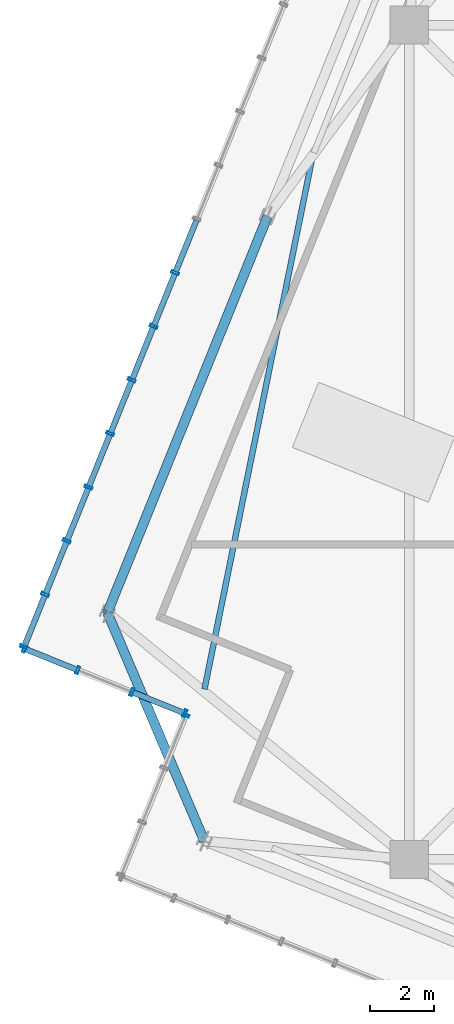
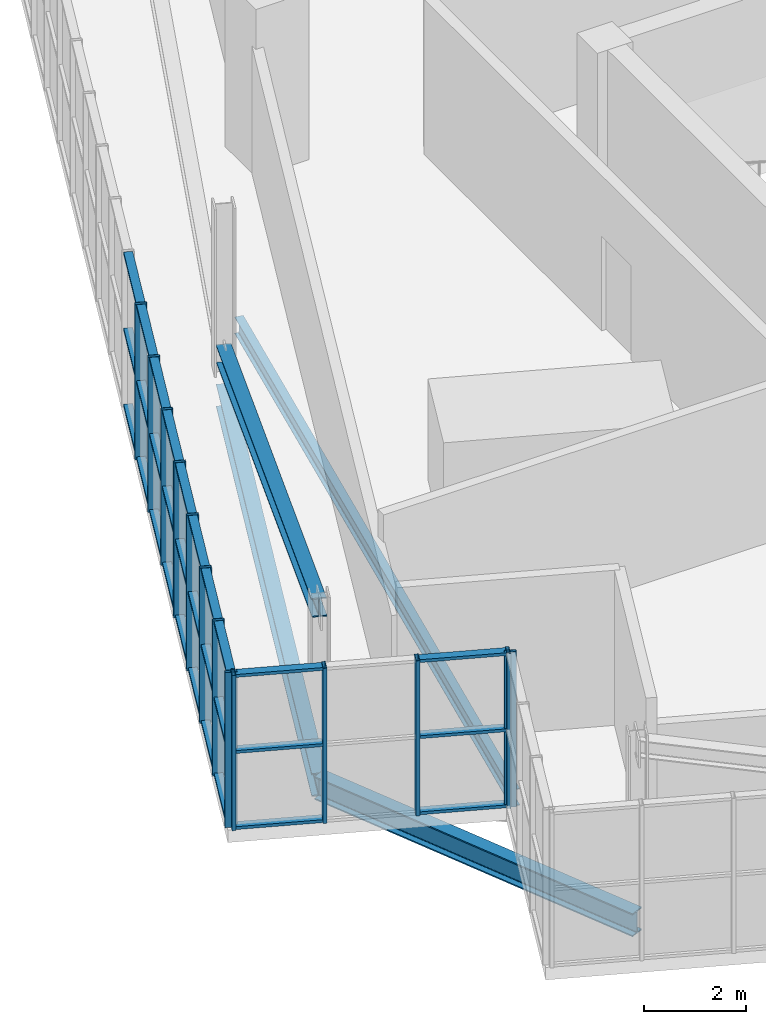
# One storey, part 6 of 26: 44 members, 3 beams, 3 elements without a shape of their own.
"""IFC4 building model written with IfcOpenShell, lengths in metres."""

from ifc_helpers import new_model, si_unit, direction, frame, origin, origin_2d, place, context, subcontext, project, spatial, hollow_rectangle, i_section, extrude, source, transform, mapped, material, layer, layer_set, material_profile, profile_set, type_object, element, aggregate, save


model = new_model("IFC4")

# Units and contexts
model_context = context("Model", 3, precision=1e-05, world=origin(), true_north=direction((0.0, 1.0)))
body_context = subcontext(model_context, "Body", "Model", "MODEL_VIEW")
ifc_project = project(units=[si_unit("LENGTHUNIT", "METRE"), si_unit("AREAUNIT", "SQUARE_METRE"), si_unit("VOLUMEUNIT", "CUBIC_METRE"), si_unit("PLANEANGLEUNIT", "RADIAN"), si_unit("MASSUNIT", "GRAM", prefix="KILO"), si_unit("THERMODYNAMICTEMPERATUREUNIT", "KELVIN")], contexts=[model_context])

# Site, building, storey
site_placement = place(None, origin())
site = spatial("IfcSite", under=ifc_project, at=site_placement, CompositionType="ELEMENT")
building_placement = place(site_placement, origin())
building = spatial("IfcBuilding", under=site, at=building_placement, Name="Kosmvard Interchange Tower", CompositionType="ELEMENT")
storey_placement = place(building_placement, frame((0.0, 0.0, 333.60009765625)))
storey = spatial("IfcBuildingStorey", under=building, at=storey_placement, Name="L82", CompositionType="ELEMENT", Elevation=333.60009765625)

# Member
ifc_material_1 = material(Name="Steel S355", Category="steel")
ifc_material_profile_1 = material_profile(ifc_material_1, i_section(OverallWidth=0.300048828125, OverallDepth=0.39990234375, WebThickness=0.013427734375, FlangeThickness=0.02392578125, FilletRadius=0.027099609375, at=origin_2d()), Name="HEB 400")
ifc_profile_set_1 = profile_set([ifc_material_profile_1], Name="Steel S355")
member_type_1 = type_object("IfcMemberType", Name="Lantern Crown Diagrid Brace HEB 400 S355", PredefinedType="BRACE", material=ifc_profile_set_1)
shared_shape_1 = source(origin(), body_context, "Body", "SweptSolid", [
    extrude(i_section(OverallWidth=0.300048828125, OverallDepth=0.39990234375, WebThickness=0.013427734375, FlangeThickness=0.02392578125, FilletRadius=0.027099609375, at=origin_2d()), origin(), (0.0, 0.0, 1.0), 13.783935546875),
])
member_1_placement = place(storey_placement, frame((-17.523681640625, 7.080078125, 0.419921875), z_axis=(-0.364177999122, -0.901367558742, 0.234330768366), x_axis=(0.927183187789, -0.374608243744, 0.0)))
element("IfcMember", 1, at=member_1_placement, inside=storey, type_object=member_type_1, Name="L82 Crown Lantern Diagrid Brace N2", PredefinedType="BRACE", context=body_context, shape_type="MappedRepresentation", body=[
    mapped(shared_shape_1, transform((0.0, 0.0, 0.0), scale=1.0)),
])

# Beams
ifc_material_profile_2 = material_profile(ifc_material_1, i_section(OverallWidth=0.300048828125, OverallDepth=0.550048828125, WebThickness=0.014892578125, FlangeThickness=0.029052734375, FilletRadius=0.027099609375, at=origin_2d()), Name="HEB 550")
ifc_profile_set_2 = profile_set([ifc_material_profile_2], Name="Steel S355")
beam_type_1 = type_object("IfcBeamType", Name="Crown Ring Cap Girder HEB 550 S355", PredefinedType="BEAM", material=ifc_profile_set_2)
shared_shape_2 = source(origin(), body_context, "Body", "SweptSolid", [
    extrude(i_section(OverallWidth=0.300048828125, OverallDepth=0.550048828125, WebThickness=0.014892578125, FlangeThickness=0.029052734375, FilletRadius=0.027099609375, at=origin_2d()), origin(), (0.0, 0.0, 1.0), 13.400146484375),
])
beam_1_placement = place(storey_placement, frame((-17.523681640625, 7.080078125, -0.5751953125), z_axis=(-0.374608243744, -0.927183187789, 0.0), x_axis=(0.927183187789, -0.374608243744, 0.0)))
element("IfcBeam", 2, at=beam_1_placement, inside=storey, type_object=beam_type_1, Name="BM-L82-PR08", PredefinedType="BEAM", context=body_context, shape_type="MappedRepresentation", body=[
    mapped(shared_shape_2, transform((0.0, 0.0, 0.0), scale=1.0)),
])
shared_shape_3 = source(origin(), body_context, "Body", "SweptSolid", [
    extrude(i_section(OverallWidth=0.300048828125, OverallDepth=0.550048828125, WebThickness=0.014892578125, FlangeThickness=0.029052734375, FilletRadius=0.027099609375, at=origin_2d()), origin(), (0.0, 0.0, 1.0), 7.778076171875),
])
beam_2_placement = place(storey_placement, frame((-22.54345703125, -5.34423828125, -0.5751953125), z_axis=(0.39071589075, -0.92051132134, 0.0), x_axis=(0.92051132134, 0.39071589075, 0.0)))
element("IfcBeam", 3, at=beam_2_placement, inside=storey, type_object=beam_type_1, Name="BM-L82-PR09", PredefinedType="BEAM", context=body_context, shape_type="MappedRepresentation", body=[
    mapped(shared_shape_3, transform((0.0, 0.0, 0.0), scale=1.0)),
])
ifc_material_profile_3 = material_profile(ifc_material_1, i_section(OverallWidth=0.179931640625, OverallDepth=0.39990234375, WebThickness=0.008544921875, FlangeThickness=0.013427734375, FilletRadius=0.02099609375, at=origin_2d()), Name="IPE 400")
ifc_profile_set_3 = profile_set([ifc_material_profile_3], Name="Steel S355")
beam_type_2 = type_object("IfcBeamType", Name="Upper-Zone Floor Joist IPE 400 S355", PredefinedType="JOIST", material=ifc_profile_set_3)
shared_shape_4 = source(origin(), body_context, "Body", "SweptSolid", [
    extrude(i_section(OverallWidth=0.179931640625, OverallDepth=0.39990234375, WebThickness=0.008544921875, FlangeThickness=0.013427734375, FilletRadius=0.02099609375, at=origin_2d()), origin(), (0.0, 0.0, 1.0), 17.0029296875),
])
beam_3_placement = place(storey_placement, frame((-16.117919921875, 8.921875, -0.5), z_axis=(-0.198882162837, -0.98002341059, 0.0), x_axis=(0.98002341059, -0.198882162837, 0.0)))
element("IfcBeam", 4, at=beam_3_placement, inside=storey, type_object=beam_type_2, Name="BM-L82-FJ06", PredefinedType="JOIST", context=body_context, shape_type="MappedRepresentation", body=[
    mapped(shared_shape_4, transform((0.0, 0.0, 0.0), scale=1.0)),
])

# Curtain wall, members
ifc_material_2 = material(Name="Architectural anodised aluminium", Category="aluminium")
ifc_layer = layer(ifc_material_2, 0.25, Name="Architectural anodised aluminium")
ifc_layer_set = layer_set([ifc_layer], Name="Architectural anodised aluminium")
curtain_wall_type = type_object("IfcCurtainWallType", Name="CW-6 Illuminated Crown Lantern Curtain Wall", PredefinedType="NOTDEFINED", material=ifc_layer_set)
curtain_wall_1_placement = place(storey_placement, origin())
curtain_wall_1 = element("IfcCurtainWall", 5, at=curtain_wall_1_placement, inside=storey, type_object=curtain_wall_type, Name="L82 Crown Lantern Glazing Face 07", PredefinedType="NOTDEFINED")
ifc_material_profile_4 = material_profile(ifc_material_2, hollow_rectangle(XDim=0.239990234375, YDim=0.080078125, WallThickness=0.006103515625, at=origin_2d()), Name="CWM 240x80x6")
ifc_profile_set_4 = profile_set([ifc_material_profile_4], Name="Architectural anodised aluminium")
member_type_2 = type_object("IfcMemberType", Name="Lantern & Observation CW Mullion 240x80 Aluminium", PredefinedType="MULLION", material=ifc_profile_set_4)
shared_shape_5 = source(origin(), body_context, "Body", "SweptSolid", [
    extrude(hollow_rectangle(XDim=0.239990234375, YDim=0.080078125, WallThickness=0.006103515625, at=origin_2d()), origin(), (0.0, 0.0, 1.0), 3.699951171875),
])
member_2_placement = place(storey_placement, frame((-20.416015625, 5.313720703125, 0.0), z_axis=(0.0, 0.0, 1.0), x_axis=(0.927183858065, -0.374606584758, 0.0)))
member_2 = element("IfcMember", 6, at=member_2_placement, type_object=member_type_2, Name="CW-6 mullion 11", PredefinedType="MULLION", context=body_context, shape_type="MappedRepresentation", body=[
    mapped(shared_shape_5, transform((0.0, 0.0, 0.0), scale=1.0)),
])
member_3_placement = place(storey_placement, frame((-21.095703125, 3.6318359375, 0.0), z_axis=(0.0, 0.0, 1.0), x_axis=(0.927183858065, -0.374606584758, 0.0)))
member_3 = element("IfcMember", 7, at=member_3_placement, type_object=member_type_2, Name="CW-6 mullion 12", PredefinedType="MULLION", context=body_context, shape_type="MappedRepresentation", body=[
    mapped(shared_shape_5, transform((0.0, 0.0, 0.0), scale=1.0)),
])
member_4_placement = place(storey_placement, frame((-21.775146484375, 1.94970703125, 0.0), z_axis=(0.0, 0.0, 1.0), x_axis=(0.927183858065, -0.374606584758, 0.0)))
member_4 = element("IfcMember", 8, at=member_4_placement, type_object=member_type_2, Name="CW-6 mullion 13", PredefinedType="MULLION", context=body_context, shape_type="MappedRepresentation", body=[
    mapped(shared_shape_5, transform((0.0, 0.0, 0.0), scale=1.0)),
])
member_5_placement = place(storey_placement, frame((-22.454833984375, 0.267578125, 0.0), z_axis=(0.0, 0.0, 1.0), x_axis=(0.927183858065, -0.374606584758, 0.0)))
member_5 = element("IfcMember", 9, at=member_5_placement, type_object=member_type_2, Name="CW-6 mullion 14", PredefinedType="MULLION", context=body_context, shape_type="MappedRepresentation", body=[
    mapped(shared_shape_5, transform((0.0, 0.0, 0.0), scale=1.0)),
])
member_6_placement = place(storey_placement, frame((-23.13427734375, -1.414306640625, 0.0), z_axis=(0.0, 0.0, 1.0), x_axis=(0.927183858065, -0.374606584758, 0.0)))
member_6 = element("IfcMember", 10, at=member_6_placement, type_object=member_type_2, Name="CW-6 mullion 15", PredefinedType="MULLION", context=body_context, shape_type="MappedRepresentation", body=[
    mapped(shared_shape_5, transform((0.0, 0.0, 0.0), scale=1.0)),
])
member_7_placement = place(storey_placement, frame((-23.81396484375, -3.096435546875, 0.0), z_axis=(0.0, 0.0, 1.0), x_axis=(0.927183858065, -0.374606584758, 0.0)))
member_7 = element("IfcMember", 11, at=member_7_placement, type_object=member_type_2, Name="CW-6 mullion 16", PredefinedType="MULLION", context=body_context, shape_type="MappedRepresentation", body=[
    mapped(shared_shape_5, transform((0.0, 0.0, 0.0), scale=1.0)),
])
member_8_placement = place(storey_placement, frame((-24.49365234375, -4.7783203125, 0.0), z_axis=(0.0, 0.0, 1.0), x_axis=(0.927183858065, -0.374606584758, 0.0)))
member_8 = element("IfcMember", 12, at=member_8_placement, type_object=member_type_2, Name="CW-6 mullion 17", PredefinedType="MULLION", context=body_context, shape_type="MappedRepresentation", body=[
    mapped(shared_shape_5, transform((0.0, 0.0, 0.0), scale=1.0)),
])
member_9_placement = place(storey_placement, frame((-25.158203125, -6.42333984375, 0.0), z_axis=(0.0, 0.0, 1.0), x_axis=(0.927183858065, -0.374606584758, 0.0)))
member_9 = element("IfcMember", 13, at=member_9_placement, type_object=member_type_2, Name="CW-6 mullion 18", PredefinedType="MULLION", context=body_context, shape_type="MappedRepresentation", body=[
    mapped(shared_shape_5, transform((0.0, 0.0, 0.0), scale=1.0)),
])

curtain_wall_2_placement = place(storey_placement, origin())
curtain_wall_2 = element("IfcCurtainWall", 14, at=curtain_wall_2_placement, inside=storey, type_object=curtain_wall_type, Name="L82 Crown Lantern Glazing Face 08", PredefinedType="NOTDEFINED")
member_10_placement = place(storey_placement, frame((-25.135986328125, -6.475341796875, 0.0), z_axis=(0.0, 0.0, 1.0), x_axis=(0.374606564822, 0.92718386612, 0.0)))
member_10 = element("IfcMember", 15, at=member_10_placement, type_object=member_type_2, Name="CW-6 mullion 1", PredefinedType="MULLION", context=body_context, shape_type="MappedRepresentation", body=[
    mapped(shared_shape_5, transform((0.0, 0.0, 0.0), scale=1.0)),
])
member_11_placement = place(storey_placement, frame((-23.473388671875, -7.147216796875, 0.0), z_axis=(0.0, 0.0, 1.0), x_axis=(0.374606564822, 0.92718386612, 0.0)))
member_11 = element("IfcMember", 16, at=member_11_placement, type_object=member_type_2, Name="CW-6 mullion 2", PredefinedType="MULLION", context=body_context, shape_type="MappedRepresentation", body=[
    mapped(shared_shape_5, transform((0.0, 0.0, 0.0), scale=1.0)),
])
member_12_placement = place(storey_placement, frame((-21.7734375, -7.833984375, 0.0), z_axis=(0.0, 0.0, 1.0), x_axis=(0.374606564822, 0.92718386612, 0.0)))
member_12 = element("IfcMember", 17, at=member_12_placement, type_object=member_type_2, Name="CW-6 mullion 3", PredefinedType="MULLION", context=body_context, shape_type="MappedRepresentation", body=[
    mapped(shared_shape_5, transform((0.0, 0.0, 0.0), scale=1.0)),
])
member_13_placement = place(storey_placement, frame((-20.110595703125, -8.505859375, 0.0), z_axis=(0.0, 0.0, 1.0), x_axis=(0.374606564822, 0.92718386612, 0.0)))
member_13 = element("IfcMember", 18, at=member_13_placement, type_object=member_type_2, Name="CW-6 mullion 4", PredefinedType="MULLION", context=body_context, shape_type="MappedRepresentation", body=[
    mapped(shared_shape_5, transform((0.0, 0.0, 0.0), scale=1.0)),
])

# Curtain wall, member
curtain_wall_3_placement = place(storey_placement, origin())
curtain_wall_3 = element("IfcCurtainWall", 19, at=curtain_wall_3_placement, inside=storey, type_object=curtain_wall_type, Name="L82 Crown Lantern Glazing Face 09", PredefinedType="NOTDEFINED")
member_14_placement = place(storey_placement, frame((-20.088623046875, -8.557861328125, 0.0), z_axis=(0.0, 0.0, 1.0), x_axis=(0.927183891631, -0.374606501678, 0.0)))
member_14 = element("IfcMember", 20, at=member_14_placement, type_object=member_type_2, Name="CW-6 mullion 1", PredefinedType="MULLION", context=body_context, shape_type="MappedRepresentation", body=[
    mapped(shared_shape_5, transform((0.0, 0.0, 0.0), scale=1.0)),
])
aggregate(curtain_wall_3, [member_14])

# Member
ifc_material_profile_5 = material_profile(ifc_material_2, hollow_rectangle(XDim=0.179931640625, YDim=0.070068359375, WallThickness=0.0048828125, at=origin_2d()), Name="CWT 180x70x5")
ifc_profile_set_5 = profile_set([ifc_material_profile_5], Name="Architectural anodised aluminium")
member_type_3 = type_object("IfcMemberType", Name="Heavy Lantern CW Transom 180x70 Aluminium", PredefinedType="USERDEFINED", material=ifc_profile_set_5)
shared_shape_6 = source(origin(), body_context, "Body", "SweptSolid", [
    extrude(hollow_rectangle(XDim=0.179931640625, YDim=0.070068359375, WallThickness=0.0048828125, at=origin_2d()), origin(), (0.0, 0.0, 1.0), 1.694091796875),
])
member_15_placement = place(storey_placement, frame((-24.508544921875, -4.8154296875, 0.034912109375), z_axis=(-0.374544061831, -0.927209116514, 0.0), x_axis=(0.927209116514, -0.374544061831, 0.0)))
member_15 = element("IfcMember", 21, at=member_15_placement, type_object=member_type_3, Name="CW-6 transom 17.1", ObjectType="TRANSOM", PredefinedType="USERDEFINED", context=body_context, shape_type="MappedRepresentation", body=[
    mapped(shared_shape_6, transform((0.0, 0.0, 0.0), scale=1.0)),
])

member_16_placement = place(storey_placement, frame((-24.508544921875, -4.8154296875, 1.849853515625), z_axis=(-0.374544061831, -0.927209116514, 0.0), x_axis=(0.927209116514, -0.374544061831, 0.0)))
member_16 = element("IfcMember", 22, at=member_16_placement, type_object=member_type_3, Name="CW-6 transom 17.2", ObjectType="TRANSOM", PredefinedType="USERDEFINED", context=body_context, shape_type="MappedRepresentation", body=[
    mapped(shared_shape_6, transform((0.0, 0.0, 0.0), scale=1.0)),
])

member_17_placement = place(storey_placement, frame((-24.508544921875, -4.8154296875, 3.664794921875), z_axis=(-0.374544061831, -0.927209116514, 0.0), x_axis=(0.927209116514, -0.374544061831, 0.0)))
member_17 = element("IfcMember", 23, at=member_17_placement, type_object=member_type_3, Name="CW-6 transom 17.3", ObjectType="TRANSOM", PredefinedType="USERDEFINED", context=body_context, shape_type="MappedRepresentation", body=[
    mapped(shared_shape_6, transform((0.0, 0.0, 0.0), scale=1.0)),
])

shared_shape_7 = source(origin(), body_context, "Body", "SweptSolid", [
    extrude(hollow_rectangle(XDim=0.179931640625, YDim=0.070068359375, WallThickness=0.0048828125, at=origin_2d()), origin(), (0.0, 0.0, 1.0), 1.734130859375),
])
member_18_placement = place(storey_placement, frame((-19.75146484375, 6.958740234375, 0.034912109375), z_axis=(-0.374616671924, -0.927179782522, 0.0), x_axis=(0.927179782522, -0.374616671924, 0.0)))
member_18 = element("IfcMember", 24, at=member_18_placement, type_object=member_type_3, Name="CW-6 transom 10.1", ObjectType="TRANSOM", PredefinedType="USERDEFINED", context=body_context, shape_type="MappedRepresentation", body=[
    mapped(shared_shape_7, transform((0.0, 0.0, 0.0), scale=1.0)),
])

member_19_placement = place(storey_placement, frame((-19.75146484375, 6.958740234375, 1.849853515625), z_axis=(-0.374616671924, -0.927179782522, 0.0), x_axis=(0.927179782522, -0.374616671924, 0.0)))
member_19 = element("IfcMember", 25, at=member_19_placement, type_object=member_type_3, Name="CW-6 transom 10.2", ObjectType="TRANSOM", PredefinedType="USERDEFINED", context=body_context, shape_type="MappedRepresentation", body=[
    mapped(shared_shape_7, transform((0.0, 0.0, 0.0), scale=1.0)),
])

member_20_placement = place(storey_placement, frame((-19.75146484375, 6.958740234375, 3.664794921875), z_axis=(-0.374616671924, -0.927179782522, 0.0), x_axis=(0.927179782522, -0.374616671924, 0.0)))
member_20 = element("IfcMember", 26, at=member_20_placement, type_object=member_type_3, Name="CW-6 transom 10.3", ObjectType="TRANSOM", PredefinedType="USERDEFINED", context=body_context, shape_type="MappedRepresentation", body=[
    mapped(shared_shape_7, transform((0.0, 0.0, 0.0), scale=1.0)),
])

member_21_placement = place(storey_placement, frame((-20.43115234375, 5.276611328125, 0.034912109375), z_axis=(-0.374495638732, -0.927228675447, 0.0), x_axis=(0.927228675447, -0.374495638732, 0.0)))
member_21 = element("IfcMember", 27, at=member_21_placement, type_object=member_type_3, Name="CW-6 transom 11.1", ObjectType="TRANSOM", PredefinedType="USERDEFINED", context=body_context, shape_type="MappedRepresentation", body=[
    mapped(shared_shape_7, transform((0.0, 0.0, 0.0), scale=1.0)),
])

member_22_placement = place(storey_placement, frame((-20.43115234375, 5.276611328125, 1.849853515625), z_axis=(-0.374495638732, -0.927228675447, 0.0), x_axis=(0.927228675447, -0.374495638732, 0.0)))
member_22 = element("IfcMember", 28, at=member_22_placement, type_object=member_type_3, Name="CW-6 transom 11.2", ObjectType="TRANSOM", PredefinedType="USERDEFINED", context=body_context, shape_type="MappedRepresentation", body=[
    mapped(shared_shape_7, transform((0.0, 0.0, 0.0), scale=1.0)),
])

member_23_placement = place(storey_placement, frame((-20.43115234375, 5.276611328125, 3.664794921875), z_axis=(-0.374495638732, -0.927228675447, 0.0), x_axis=(0.927228675447, -0.374495638732, 0.0)))
member_23 = element("IfcMember", 29, at=member_23_placement, type_object=member_type_3, Name="CW-6 transom 11.3", ObjectType="TRANSOM", PredefinedType="USERDEFINED", context=body_context, shape_type="MappedRepresentation", body=[
    mapped(shared_shape_7, transform((0.0, 0.0, 0.0), scale=1.0)),
])

member_24_placement = place(storey_placement, frame((-21.110595703125, 3.5947265625, 0.034912109375), z_axis=(-0.374616671924, -0.927179782522, 0.0), x_axis=(0.927179782522, -0.374616671924, 0.0)))
member_24 = element("IfcMember", 30, at=member_24_placement, type_object=member_type_3, Name="CW-6 transom 12.1", ObjectType="TRANSOM", PredefinedType="USERDEFINED", context=body_context, shape_type="MappedRepresentation", body=[
    mapped(shared_shape_7, transform((0.0, 0.0, 0.0), scale=1.0)),
])

member_25_placement = place(storey_placement, frame((-21.110595703125, 3.5947265625, 1.849853515625), z_axis=(-0.374616671924, -0.927179782522, 0.0), x_axis=(0.927179782522, -0.374616671924, 0.0)))
member_25 = element("IfcMember", 31, at=member_25_placement, type_object=member_type_3, Name="CW-6 transom 12.2", ObjectType="TRANSOM", PredefinedType="USERDEFINED", context=body_context, shape_type="MappedRepresentation", body=[
    mapped(shared_shape_7, transform((0.0, 0.0, 0.0), scale=1.0)),
])

member_26_placement = place(storey_placement, frame((-21.110595703125, 3.5947265625, 3.664794921875), z_axis=(-0.374616671924, -0.927179782522, 0.0), x_axis=(0.927179782522, -0.374616671924, 0.0)))
member_26 = element("IfcMember", 32, at=member_26_placement, type_object=member_type_3, Name="CW-6 transom 12.3", ObjectType="TRANSOM", PredefinedType="USERDEFINED", context=body_context, shape_type="MappedRepresentation", body=[
    mapped(shared_shape_7, transform((0.0, 0.0, 0.0), scale=1.0)),
])

member_27_placement = place(storey_placement, frame((-21.790283203125, 1.91259765625, 0.034912109375), z_axis=(-0.374495638732, -0.927228675447, 0.0), x_axis=(0.927228675447, -0.374495638732, 0.0)))
member_27 = element("IfcMember", 33, at=member_27_placement, type_object=member_type_3, Name="CW-6 transom 13.1", ObjectType="TRANSOM", PredefinedType="USERDEFINED", context=body_context, shape_type="MappedRepresentation", body=[
    mapped(shared_shape_7, transform((0.0, 0.0, 0.0), scale=1.0)),
])

member_28_placement = place(storey_placement, frame((-21.790283203125, 1.91259765625, 1.849853515625), z_axis=(-0.374495638732, -0.927228675447, 0.0), x_axis=(0.927228675447, -0.374495638732, 0.0)))
member_28 = element("IfcMember", 34, at=member_28_placement, type_object=member_type_3, Name="CW-6 transom 13.2", ObjectType="TRANSOM", PredefinedType="USERDEFINED", context=body_context, shape_type="MappedRepresentation", body=[
    mapped(shared_shape_7, transform((0.0, 0.0, 0.0), scale=1.0)),
])

member_29_placement = place(storey_placement, frame((-21.790283203125, 1.91259765625, 3.664794921875), z_axis=(-0.374495638732, -0.927228675447, 0.0), x_axis=(0.927228675447, -0.374495638732, 0.0)))
member_29 = element("IfcMember", 35, at=member_29_placement, type_object=member_type_3, Name="CW-6 transom 13.3", ObjectType="TRANSOM", PredefinedType="USERDEFINED", context=body_context, shape_type="MappedRepresentation", body=[
    mapped(shared_shape_7, transform((0.0, 0.0, 0.0), scale=1.0)),
])

member_30_placement = place(storey_placement, frame((-23.1494140625, -1.451416015625, 0.034912109375), z_axis=(-0.374616671924, -0.927179782522, 0.0), x_axis=(0.927179782522, -0.374616671924, 0.0)))
member_30 = element("IfcMember", 36, at=member_30_placement, type_object=member_type_3, Name="CW-6 transom 15.1", ObjectType="TRANSOM", PredefinedType="USERDEFINED", context=body_context, shape_type="MappedRepresentation", body=[
    mapped(shared_shape_7, transform((0.0, 0.0, 0.0), scale=1.0)),
])

member_31_placement = place(storey_placement, frame((-23.1494140625, -1.451416015625, 1.849853515625), z_axis=(-0.374616671924, -0.927179782522, 0.0), x_axis=(0.927179782522, -0.374616671924, 0.0)))
member_31 = element("IfcMember", 37, at=member_31_placement, type_object=member_type_3, Name="CW-6 transom 15.2", ObjectType="TRANSOM", PredefinedType="USERDEFINED", context=body_context, shape_type="MappedRepresentation", body=[
    mapped(shared_shape_7, transform((0.0, 0.0, 0.0), scale=1.0)),
])

member_32_placement = place(storey_placement, frame((-23.1494140625, -1.451416015625, 3.664794921875), z_axis=(-0.374616671924, -0.927179782522, 0.0), x_axis=(0.927179782522, -0.374616671924, 0.0)))
member_32 = element("IfcMember", 38, at=member_32_placement, type_object=member_type_3, Name="CW-6 transom 15.3", ObjectType="TRANSOM", PredefinedType="USERDEFINED", context=body_context, shape_type="MappedRepresentation", body=[
    mapped(shared_shape_7, transform((0.0, 0.0, 0.0), scale=1.0)),
])

shared_shape_8 = source(origin(), body_context, "Body", "SweptSolid", [
    extrude(hollow_rectangle(XDim=0.179931640625, YDim=0.070068359375, WallThickness=0.0048828125, at=origin_2d()), origin(), (0.0, 0.0, 1.0), 1.73388671875),
])
member_33_placement = place(storey_placement, frame((-22.4697265625, 0.23046875, 0.034912109375), z_axis=(-0.374665576032, -0.927160021861, 0.0), x_axis=(0.927160021861, -0.374665576032, 0.0)))
member_33 = element("IfcMember", 39, at=member_33_placement, type_object=member_type_3, Name="CW-6 transom 14.1", ObjectType="TRANSOM", PredefinedType="USERDEFINED", context=body_context, shape_type="MappedRepresentation", body=[
    mapped(shared_shape_8, transform((0.0, 0.0, 0.0), scale=1.0)),
])

member_34_placement = place(storey_placement, frame((-22.4697265625, 0.23046875, 1.849853515625), z_axis=(-0.374665576032, -0.927160021861, 0.0), x_axis=(0.927160021861, -0.374665576032, 0.0)))
member_34 = element("IfcMember", 40, at=member_34_placement, type_object=member_type_3, Name="CW-6 transom 14.2", ObjectType="TRANSOM", PredefinedType="USERDEFINED", context=body_context, shape_type="MappedRepresentation", body=[
    mapped(shared_shape_8, transform((0.0, 0.0, 0.0), scale=1.0)),
])

member_35_placement = place(storey_placement, frame((-22.4697265625, 0.23046875, 3.664794921875), z_axis=(-0.374665576032, -0.927160021861, 0.0), x_axis=(0.927160021861, -0.374665576032, 0.0)))
member_35 = element("IfcMember", 41, at=member_35_placement, type_object=member_type_3, Name="CW-6 transom 14.3", ObjectType="TRANSOM", PredefinedType="USERDEFINED", context=body_context, shape_type="MappedRepresentation", body=[
    mapped(shared_shape_8, transform((0.0, 0.0, 0.0), scale=1.0)),
])

member_36_placement = place(storey_placement, frame((-23.828857421875, -3.133544921875, 0.034912109375), z_axis=(-0.374665576032, -0.927160021861, 0.0), x_axis=(0.927160021861, -0.374665576032, 0.0)))
member_36 = element("IfcMember", 42, at=member_36_placement, type_object=member_type_3, Name="CW-6 transom 16.1", ObjectType="TRANSOM", PredefinedType="USERDEFINED", context=body_context, shape_type="MappedRepresentation", body=[
    mapped(shared_shape_8, transform((0.0, 0.0, 0.0), scale=1.0)),
])

member_37_placement = place(storey_placement, frame((-23.828857421875, -3.133544921875, 1.849853515625), z_axis=(-0.374665576032, -0.927160021861, 0.0), x_axis=(0.927160021861, -0.374665576032, 0.0)))
member_37 = element("IfcMember", 43, at=member_37_placement, type_object=member_type_3, Name="CW-6 transom 16.2", ObjectType="TRANSOM", PredefinedType="USERDEFINED", context=body_context, shape_type="MappedRepresentation", body=[
    mapped(shared_shape_8, transform((0.0, 0.0, 0.0), scale=1.0)),
])

member_38_placement = place(storey_placement, frame((-23.828857421875, -3.133544921875, 3.664794921875), z_axis=(-0.374665576032, -0.927160021861, 0.0), x_axis=(0.927160021861, -0.374665576032, 0.0)))
member_38 = element("IfcMember", 44, at=member_38_placement, type_object=member_type_3, Name="CW-6 transom 16.3", ObjectType="TRANSOM", PredefinedType="USERDEFINED", context=body_context, shape_type="MappedRepresentation", body=[
    mapped(shared_shape_8, transform((0.0, 0.0, 0.0), scale=1.0)),
])

aggregate(curtain_wall_1, [member_2, member_3, member_4, member_5, member_6, member_7, member_8, member_9, member_18, member_19, member_20, member_21, member_22, member_23, member_24, member_25, member_26, member_27, member_28, member_29, member_33, member_34, member_35, member_30, member_31, member_32, member_36, member_37, member_38, member_15, member_16, member_17])

shared_shape_9 = source(origin(), body_context, "Body", "SweptSolid", [
    extrude(hollow_rectangle(XDim=0.179931640625, YDim=0.070068359375, WallThickness=0.0048828125, at=origin_2d()), origin(), (0.0, 0.0, 1.0), 1.71337890625),
])
member_39_placement = place(storey_placement, frame((-25.098876953125, -6.490478515625, 0.034912109375), z_axis=(0.927233273404, -0.374484254265, 0.0), x_axis=(0.374484254265, 0.927233273404, 0.0)))
member_39 = element("IfcMember", 45, at=member_39_placement, type_object=member_type_3, Name="CW-6 transom 1.1", ObjectType="TRANSOM", PredefinedType="USERDEFINED", context=body_context, shape_type="MappedRepresentation", body=[
    mapped(shared_shape_9, transform((0.0, 0.0, 0.0), scale=1.0)),
])

member_40_placement = place(storey_placement, frame((-25.098876953125, -6.490478515625, 1.849853515625), z_axis=(0.927233273404, -0.374484254265, 0.0), x_axis=(0.374484254265, 0.927233273404, 0.0)))
member_40 = element("IfcMember", 46, at=member_40_placement, type_object=member_type_3, Name="CW-6 transom 1.2", ObjectType="TRANSOM", PredefinedType="USERDEFINED", context=body_context, shape_type="MappedRepresentation", body=[
    mapped(shared_shape_9, transform((0.0, 0.0, 0.0), scale=1.0)),
])

member_41_placement = place(storey_placement, frame((-25.098876953125, -6.490478515625, 3.664794921875), z_axis=(0.927233273404, -0.374484254265, 0.0), x_axis=(0.374484254265, 0.927233273404, 0.0)))
member_41 = element("IfcMember", 47, at=member_41_placement, type_object=member_type_3, Name="CW-6 transom 1.3", ObjectType="TRANSOM", PredefinedType="USERDEFINED", context=body_context, shape_type="MappedRepresentation", body=[
    mapped(shared_shape_9, transform((0.0, 0.0, 0.0), scale=1.0)),
])

member_42_placement = place(storey_placement, frame((-21.736328125, -7.848876953125, 0.034912109375), z_axis=(0.927183787829, -0.374606758599, 0.0), x_axis=(0.374606758599, 0.927183787829, 0.0)))
member_42 = element("IfcMember", 48, at=member_42_placement, type_object=member_type_3, Name="CW-6 transom 3.1", ObjectType="TRANSOM", PredefinedType="USERDEFINED", context=body_context, shape_type="MappedRepresentation", body=[
    mapped(shared_shape_9, transform((0.0, 0.0, 0.0), scale=1.0)),
])

member_43_placement = place(storey_placement, frame((-21.736328125, -7.848876953125, 1.849853515625), z_axis=(0.927183787829, -0.374606758599, 0.0), x_axis=(0.374606758599, 0.927183787829, 0.0)))
member_43 = element("IfcMember", 49, at=member_43_placement, type_object=member_type_3, Name="CW-6 transom 3.2", ObjectType="TRANSOM", PredefinedType="USERDEFINED", context=body_context, shape_type="MappedRepresentation", body=[
    mapped(shared_shape_9, transform((0.0, 0.0, 0.0), scale=1.0)),
])

member_44_placement = place(storey_placement, frame((-21.736328125, -7.848876953125, 3.664794921875), z_axis=(0.927183787829, -0.374606758599, 0.0), x_axis=(0.374606758599, 0.927183787829, 0.0)))
member_44 = element("IfcMember", 50, at=member_44_placement, type_object=member_type_3, Name="CW-6 transom 3.3", ObjectType="TRANSOM", PredefinedType="USERDEFINED", context=body_context, shape_type="MappedRepresentation", body=[
    mapped(shared_shape_9, transform((0.0, 0.0, 0.0), scale=1.0)),
])

aggregate(curtain_wall_2, [member_10, member_11, member_12, member_13, member_39, member_40, member_41, member_42, member_43, member_44])

save(model, "model.ifc")
